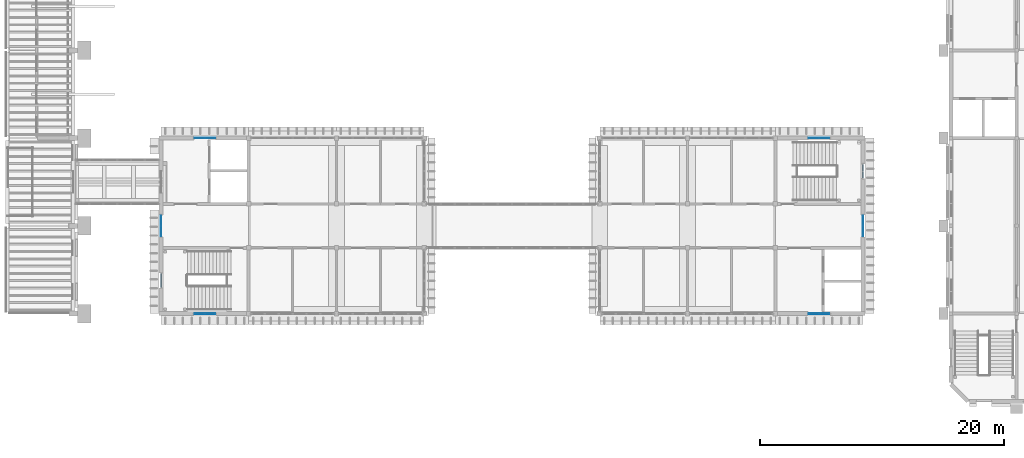
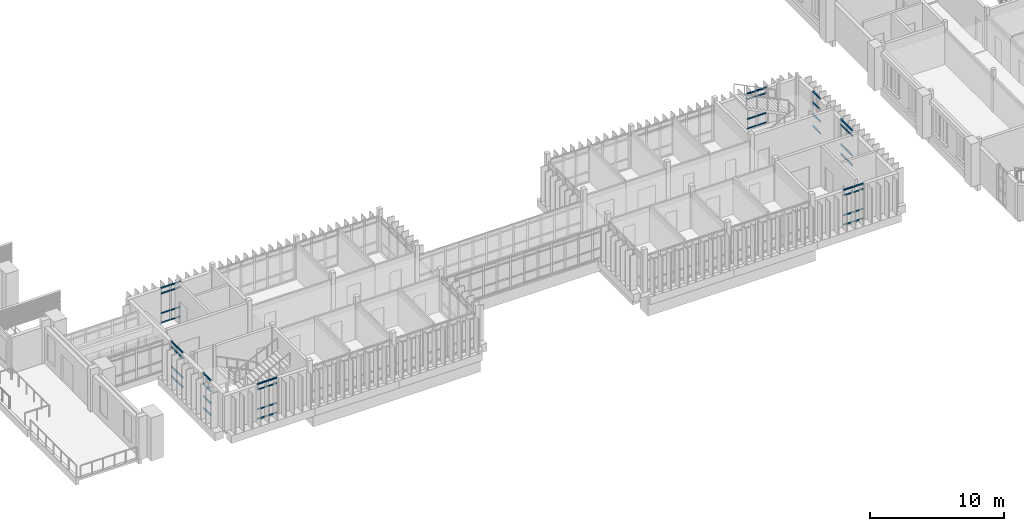
# One storey, part 24 of 69: 64 members, 8 elements without a shape of their own.
"""IFC4 building model written with IfcOpenShell, lengths in metres."""

from ifc_helpers import new_model, si_unit, direction, frame, origin, origin_2d, place, context, subcontext, project, spatial, rectangle, extrude, material, layer, layer_set, material_profile, profile_set, type_object, element, aggregate, save


model = new_model("IFC4")

# Units and contexts
model_context = context("Model", 3, precision=1e-05, world=origin(), true_north=direction((0.0, 1.0)))
body_context = subcontext(model_context, "Body", "Model", "MODEL_VIEW")
ifc_project = project(units=[si_unit("LENGTHUNIT", "METRE"), si_unit("AREAUNIT", "SQUARE_METRE"), si_unit("VOLUMEUNIT", "CUBIC_METRE"), si_unit("PLANEANGLEUNIT", "RADIAN"), si_unit("MASSUNIT", "GRAM", prefix="KILO")], contexts=[model_context])

# Site, building, storey
site_placement = place(None, origin())
site = spatial("IfcSite", under=ifc_project, at=site_placement, CompositionType="ELEMENT")
building_placement = place(site_placement, origin())
building = spatial("IfcBuilding", under=site, at=building_placement, Name="Mazhai Court Health Centre", CompositionType="ELEMENT")
storey_placement = place(building_placement, frame((0.0, 0.0, 6.300048828125)))
storey = spatial("IfcBuildingStorey", under=building, at=storey_placement, Name="L01", CompositionType="ELEMENT", Elevation=6.300048828125)

# Curtain wall, members
ifc_material_1 = material(Name="Teak timber frame, glazed", Category="wood")
ifc_layer_1 = layer(ifc_material_1, 0.10009765625)
ifc_layer_set_1 = layer_set([ifc_layer_1], Name="CURTAIN WALL TIMBER 900")
curtain_wall_type_1 = type_object("IfcCurtainWallType", Name="CURTAIN WALL TIMBER 900", PredefinedType="NOTDEFINED", material=ifc_layer_set_1)
curtain_wall_1_placement = place(storey_placement, origin())
curtain_wall_1 = element("IfcCurtainWall", 1, at=curtain_wall_1_placement, inside=storey, type_object=curtain_wall_type_1, Name="CW-V4-L01-A0", PredefinedType="NOTDEFINED")
ifc_material_2 = material(Name="Teak timber", Category="wood")
ifc_material_profile = material_profile(ifc_material_2, rectangle(XDim=0.06005859375, YDim=0.1201171875, at=origin_2d()), Name="CW TRANSOM 60x120")
ifc_profile_set = profile_set([ifc_material_profile], Name="Teak timber")
member_type = type_object("IfcMemberType", Name="CW TRANSOM 60x120", PredefinedType="USERDEFINED", material=ifc_profile_set)
member_1_placement = place(storey_placement, frame((75.43994140625, 13.39990234375, 0.030029296875), z_axis=(-1.0, 0.0, 0.0), x_axis=(0.0, -1.0, 0.0)))
member_1 = element("IfcMember", 2, at=member_1_placement, type_object=member_type, Name="CW transom 1.1", ObjectType="TRANSOM", PredefinedType="USERDEFINED", context=body_context, shape_type="SweptSolid", body=[
    extrude(rectangle(XDim=0.06005859375, YDim=0.1201171875, at=origin_2d()), origin(), (0.0, 0.0, 1.0), 0.81005859375),
])
member_2_placement = place(storey_placement, frame((75.43994140625, 13.39990234375, 0.89990234375), z_axis=(-1.0, 0.0, 0.0), x_axis=(0.0, -1.0, 0.0)))
member_2 = element("IfcMember", 3, at=member_2_placement, type_object=member_type, Name="CW transom 1.2", ObjectType="TRANSOM", PredefinedType="USERDEFINED", context=body_context, shape_type="SweptSolid", body=[
    extrude(rectangle(XDim=0.06005859375, YDim=0.1201171875, at=origin_2d()), origin(), (0.0, 0.0, 1.0), 0.81005859375),
])
member_3_placement = place(storey_placement, frame((75.43994140625, 13.39990234375, 2.699951171875), z_axis=(-1.0, 0.0, 0.0), x_axis=(0.0, -1.0, 0.0)))
member_3 = element("IfcMember", 4, at=member_3_placement, type_object=member_type, Name="CW transom 1.3", ObjectType="TRANSOM", PredefinedType="USERDEFINED", context=body_context, shape_type="SweptSolid", body=[
    extrude(rectangle(XDim=0.06005859375, YDim=0.1201171875, at=origin_2d()), origin(), (0.0, 0.0, 1.0), 0.81005859375),
])
member_4_placement = place(storey_placement, frame((75.43994140625, 13.39990234375, 3.18994140625), z_axis=(-1.0, 0.0, 0.0), x_axis=(0.0, -1.0, 0.0)))
member_4 = element("IfcMember", 5, at=member_4_placement, type_object=member_type, Name="CW transom 1.4", ObjectType="TRANSOM", PredefinedType="USERDEFINED", context=body_context, shape_type="SweptSolid", body=[
    extrude(rectangle(XDim=0.06005859375, YDim=0.1201171875, at=origin_2d()), origin(), (0.0, 0.0, 1.0), 0.81005859375),
])
member_5_placement = place(storey_placement, frame((74.570068359375, 13.39990234375, 0.030029296875), z_axis=(-1.0, 0.0, 0.0), x_axis=(0.0, -1.0, 0.0)))
member_5 = element("IfcMember", 6, at=member_5_placement, type_object=member_type, Name="CW transom 2.1", ObjectType="TRANSOM", PredefinedType="USERDEFINED", context=body_context, shape_type="SweptSolid", body=[
    extrude(rectangle(XDim=0.06005859375, YDim=0.1201171875, at=origin_2d()), origin(), (0.0, 0.0, 1.0), 0.81005859375),
])
member_6_placement = place(storey_placement, frame((74.570068359375, 13.39990234375, 0.89990234375), z_axis=(-1.0, 0.0, 0.0), x_axis=(0.0, -1.0, 0.0)))
member_6 = element("IfcMember", 7, at=member_6_placement, type_object=member_type, Name="CW transom 2.2", ObjectType="TRANSOM", PredefinedType="USERDEFINED", context=body_context, shape_type="SweptSolid", body=[
    extrude(rectangle(XDim=0.06005859375, YDim=0.1201171875, at=origin_2d()), origin(), (0.0, 0.0, 1.0), 0.81005859375),
])
member_7_placement = place(storey_placement, frame((74.570068359375, 13.39990234375, 2.699951171875), z_axis=(-1.0, 0.0, 0.0), x_axis=(0.0, -1.0, 0.0)))
member_7 = element("IfcMember", 8, at=member_7_placement, type_object=member_type, Name="CW transom 2.3", ObjectType="TRANSOM", PredefinedType="USERDEFINED", context=body_context, shape_type="SweptSolid", body=[
    extrude(rectangle(XDim=0.06005859375, YDim=0.1201171875, at=origin_2d()), origin(), (0.0, 0.0, 1.0), 0.81005859375),
])
member_8_placement = place(storey_placement, frame((74.570068359375, 13.39990234375, 3.18994140625), z_axis=(-1.0, 0.0, 0.0), x_axis=(0.0, -1.0, 0.0)))
member_8 = element("IfcMember", 9, at=member_8_placement, type_object=member_type, Name="CW transom 2.4", ObjectType="TRANSOM", PredefinedType="USERDEFINED", context=body_context, shape_type="SweptSolid", body=[
    extrude(rectangle(XDim=0.06005859375, YDim=0.1201171875, at=origin_2d()), origin(), (0.0, 0.0, 1.0), 0.81005859375),
])
aggregate(curtain_wall_1, [member_1, member_2, member_3, member_4, member_5, member_6, member_7, member_8])

curtain_wall_2_placement = place(storey_placement, origin())
curtain_wall_2 = element("IfcCurtainWall", 10, at=curtain_wall_2_placement, inside=storey, type_object=curtain_wall_type_1, Name="CW-V4-L01-A7", PredefinedType="NOTDEFINED")
member_9_placement = place(storey_placement, frame((125.840087890625, 13.39990234375, 0.030029296875), z_axis=(-1.0, 0.0, 0.0), x_axis=(0.0, -1.0, 0.0)))
member_9 = element("IfcMember", 11, at=member_9_placement, type_object=member_type, Name="CW transom 1.1", ObjectType="TRANSOM", PredefinedType="USERDEFINED", context=body_context, shape_type="SweptSolid", body=[
    extrude(rectangle(XDim=0.06005859375, YDim=0.1201171875, at=origin_2d()), origin(), (0.0, 0.0, 1.0), 0.81005859375),
])
member_10_placement = place(storey_placement, frame((125.840087890625, 13.39990234375, 0.89990234375), z_axis=(-1.0, 0.0, 0.0), x_axis=(0.0, -1.0, 0.0)))
member_10 = element("IfcMember", 12, at=member_10_placement, type_object=member_type, Name="CW transom 1.2", ObjectType="TRANSOM", PredefinedType="USERDEFINED", context=body_context, shape_type="SweptSolid", body=[
    extrude(rectangle(XDim=0.06005859375, YDim=0.1201171875, at=origin_2d()), origin(), (0.0, 0.0, 1.0), 0.81005859375),
])
member_11_placement = place(storey_placement, frame((125.840087890625, 13.39990234375, 2.699951171875), z_axis=(-1.0, 0.0, 0.0), x_axis=(0.0, -1.0, 0.0)))
member_11 = element("IfcMember", 13, at=member_11_placement, type_object=member_type, Name="CW transom 1.3", ObjectType="TRANSOM", PredefinedType="USERDEFINED", context=body_context, shape_type="SweptSolid", body=[
    extrude(rectangle(XDim=0.06005859375, YDim=0.1201171875, at=origin_2d()), origin(), (0.0, 0.0, 1.0), 0.81005859375),
])
member_12_placement = place(storey_placement, frame((125.840087890625, 13.39990234375, 3.18994140625), z_axis=(-1.0, 0.0, 0.0), x_axis=(0.0, -1.0, 0.0)))
member_12 = element("IfcMember", 14, at=member_12_placement, type_object=member_type, Name="CW transom 1.4", ObjectType="TRANSOM", PredefinedType="USERDEFINED", context=body_context, shape_type="SweptSolid", body=[
    extrude(rectangle(XDim=0.06005859375, YDim=0.1201171875, at=origin_2d()), origin(), (0.0, 0.0, 1.0), 0.81005859375),
])
member_13_placement = place(storey_placement, frame((124.969970703125, 13.39990234375, 0.030029296875), z_axis=(-1.0, 0.0, 0.0), x_axis=(0.0, -1.0, 0.0)))
member_13 = element("IfcMember", 15, at=member_13_placement, type_object=member_type, Name="CW transom 2.1", ObjectType="TRANSOM", PredefinedType="USERDEFINED", context=body_context, shape_type="SweptSolid", body=[
    extrude(rectangle(XDim=0.06005859375, YDim=0.1201171875, at=origin_2d()), origin(), (0.0, 0.0, 1.0), 0.81005859375),
])
member_14_placement = place(storey_placement, frame((124.969970703125, 13.39990234375, 0.89990234375), z_axis=(-1.0, 0.0, 0.0), x_axis=(0.0, -1.0, 0.0)))
member_14 = element("IfcMember", 16, at=member_14_placement, type_object=member_type, Name="CW transom 2.2", ObjectType="TRANSOM", PredefinedType="USERDEFINED", context=body_context, shape_type="SweptSolid", body=[
    extrude(rectangle(XDim=0.06005859375, YDim=0.1201171875, at=origin_2d()), origin(), (0.0, 0.0, 1.0), 0.81005859375),
])
member_15_placement = place(storey_placement, frame((124.969970703125, 13.39990234375, 2.699951171875), z_axis=(-1.0, 0.0, 0.0), x_axis=(0.0, -1.0, 0.0)))
member_15 = element("IfcMember", 17, at=member_15_placement, type_object=member_type, Name="CW transom 2.3", ObjectType="TRANSOM", PredefinedType="USERDEFINED", context=body_context, shape_type="SweptSolid", body=[
    extrude(rectangle(XDim=0.06005859375, YDim=0.1201171875, at=origin_2d()), origin(), (0.0, 0.0, 1.0), 0.81005859375),
])
member_16_placement = place(storey_placement, frame((124.969970703125, 13.39990234375, 3.18994140625), z_axis=(-1.0, 0.0, 0.0), x_axis=(0.0, -1.0, 0.0)))
member_16 = element("IfcMember", 18, at=member_16_placement, type_object=member_type, Name="CW transom 2.4", ObjectType="TRANSOM", PredefinedType="USERDEFINED", context=body_context, shape_type="SweptSolid", body=[
    extrude(rectangle(XDim=0.06005859375, YDim=0.1201171875, at=origin_2d()), origin(), (0.0, 0.0, 1.0), 0.81005859375),
])
aggregate(curtain_wall_2, [member_9, member_10, member_11, member_12, member_13, member_14, member_15, member_16])

curtain_wall_3_placement = place(storey_placement, origin())
curtain_wall_3 = element("IfcCurtainWall", 19, at=curtain_wall_3_placement, inside=storey, type_object=curtain_wall_type_1, Name="CW-V4-L01-B0", PredefinedType="NOTDEFINED")
member_17_placement = place(storey_placement, frame((73.760009765625, 27.800048828125, 0.030029296875), z_axis=(1.0, 0.0, 0.0), x_axis=(0.0, 1.0, 0.0)))
member_17 = element("IfcMember", 20, at=member_17_placement, type_object=member_type, Name="CW transom 1.1", ObjectType="TRANSOM", PredefinedType="USERDEFINED", context=body_context, shape_type="SweptSolid", body=[
    extrude(rectangle(XDim=0.06005859375, YDim=0.1201171875, at=origin_2d()), origin(), (0.0, 0.0, 1.0), 0.81005859375),
])
member_18_placement = place(storey_placement, frame((73.760009765625, 27.800048828125, 0.89990234375), z_axis=(1.0, 0.0, 0.0), x_axis=(0.0, 1.0, 0.0)))
member_18 = element("IfcMember", 21, at=member_18_placement, type_object=member_type, Name="CW transom 1.2", ObjectType="TRANSOM", PredefinedType="USERDEFINED", context=body_context, shape_type="SweptSolid", body=[
    extrude(rectangle(XDim=0.06005859375, YDim=0.1201171875, at=origin_2d()), origin(), (0.0, 0.0, 1.0), 0.81005859375),
])
member_19_placement = place(storey_placement, frame((73.760009765625, 27.800048828125, 2.699951171875), z_axis=(1.0, 0.0, 0.0), x_axis=(0.0, 1.0, 0.0)))
member_19 = element("IfcMember", 22, at=member_19_placement, type_object=member_type, Name="CW transom 1.3", ObjectType="TRANSOM", PredefinedType="USERDEFINED", context=body_context, shape_type="SweptSolid", body=[
    extrude(rectangle(XDim=0.06005859375, YDim=0.1201171875, at=origin_2d()), origin(), (0.0, 0.0, 1.0), 0.81005859375),
])
member_20_placement = place(storey_placement, frame((73.760009765625, 27.800048828125, 3.18994140625), z_axis=(1.0, 0.0, 0.0), x_axis=(0.0, 1.0, 0.0)))
member_20 = element("IfcMember", 23, at=member_20_placement, type_object=member_type, Name="CW transom 1.4", ObjectType="TRANSOM", PredefinedType="USERDEFINED", context=body_context, shape_type="SweptSolid", body=[
    extrude(rectangle(XDim=0.06005859375, YDim=0.1201171875, at=origin_2d()), origin(), (0.0, 0.0, 1.0), 0.81005859375),
])
member_21_placement = place(storey_placement, frame((74.6298828125, 27.800048828125, 0.030029296875), z_axis=(1.0, 0.0, 0.0), x_axis=(0.0, 1.0, 0.0)))
member_21 = element("IfcMember", 24, at=member_21_placement, type_object=member_type, Name="CW transom 2.1", ObjectType="TRANSOM", PredefinedType="USERDEFINED", context=body_context, shape_type="SweptSolid", body=[
    extrude(rectangle(XDim=0.06005859375, YDim=0.1201171875, at=origin_2d()), origin(), (0.0, 0.0, 1.0), 0.81005859375),
])
member_22_placement = place(storey_placement, frame((74.6298828125, 27.800048828125, 0.89990234375), z_axis=(1.0, 0.0, 0.0), x_axis=(0.0, 1.0, 0.0)))
member_22 = element("IfcMember", 25, at=member_22_placement, type_object=member_type, Name="CW transom 2.2", ObjectType="TRANSOM", PredefinedType="USERDEFINED", context=body_context, shape_type="SweptSolid", body=[
    extrude(rectangle(XDim=0.06005859375, YDim=0.1201171875, at=origin_2d()), origin(), (0.0, 0.0, 1.0), 0.81005859375),
])
member_23_placement = place(storey_placement, frame((74.6298828125, 27.800048828125, 2.699951171875), z_axis=(1.0, 0.0, 0.0), x_axis=(0.0, 1.0, 0.0)))
member_23 = element("IfcMember", 26, at=member_23_placement, type_object=member_type, Name="CW transom 2.3", ObjectType="TRANSOM", PredefinedType="USERDEFINED", context=body_context, shape_type="SweptSolid", body=[
    extrude(rectangle(XDim=0.06005859375, YDim=0.1201171875, at=origin_2d()), origin(), (0.0, 0.0, 1.0), 0.81005859375),
])
member_24_placement = place(storey_placement, frame((74.6298828125, 27.800048828125, 3.18994140625), z_axis=(1.0, 0.0, 0.0), x_axis=(0.0, 1.0, 0.0)))
member_24 = element("IfcMember", 27, at=member_24_placement, type_object=member_type, Name="CW transom 2.4", ObjectType="TRANSOM", PredefinedType="USERDEFINED", context=body_context, shape_type="SweptSolid", body=[
    extrude(rectangle(XDim=0.06005859375, YDim=0.1201171875, at=origin_2d()), origin(), (0.0, 0.0, 1.0), 0.81005859375),
])
aggregate(curtain_wall_3, [member_17, member_18, member_19, member_20, member_21, member_22, member_23, member_24])

curtain_wall_4_placement = place(storey_placement, origin())
curtain_wall_4 = element("IfcCurtainWall", 28, at=curtain_wall_4_placement, inside=storey, type_object=curtain_wall_type_1, Name="CW-V4-L01-B7", PredefinedType="NOTDEFINED")
member_25_placement = place(storey_placement, frame((124.159912109375, 27.800048828125, 0.030029296875), z_axis=(1.0, 0.0, 0.0), x_axis=(0.0, 1.0, 0.0)))
member_25 = element("IfcMember", 29, at=member_25_placement, type_object=member_type, Name="CW transom 1.1", ObjectType="TRANSOM", PredefinedType="USERDEFINED", context=body_context, shape_type="SweptSolid", body=[
    extrude(rectangle(XDim=0.06005859375, YDim=0.1201171875, at=origin_2d()), origin(), (0.0, 0.0, 1.0), 0.81005859375),
])
member_26_placement = place(storey_placement, frame((124.159912109375, 27.800048828125, 0.89990234375), z_axis=(1.0, 0.0, 0.0), x_axis=(0.0, 1.0, 0.0)))
member_26 = element("IfcMember", 30, at=member_26_placement, type_object=member_type, Name="CW transom 1.2", ObjectType="TRANSOM", PredefinedType="USERDEFINED", context=body_context, shape_type="SweptSolid", body=[
    extrude(rectangle(XDim=0.06005859375, YDim=0.1201171875, at=origin_2d()), origin(), (0.0, 0.0, 1.0), 0.81005859375),
])
member_27_placement = place(storey_placement, frame((124.159912109375, 27.800048828125, 2.699951171875), z_axis=(1.0, 0.0, 0.0), x_axis=(0.0, 1.0, 0.0)))
member_27 = element("IfcMember", 31, at=member_27_placement, type_object=member_type, Name="CW transom 1.3", ObjectType="TRANSOM", PredefinedType="USERDEFINED", context=body_context, shape_type="SweptSolid", body=[
    extrude(rectangle(XDim=0.06005859375, YDim=0.1201171875, at=origin_2d()), origin(), (0.0, 0.0, 1.0), 0.81005859375),
])
member_28_placement = place(storey_placement, frame((124.159912109375, 27.800048828125, 3.18994140625), z_axis=(1.0, 0.0, 0.0), x_axis=(0.0, 1.0, 0.0)))
member_28 = element("IfcMember", 32, at=member_28_placement, type_object=member_type, Name="CW transom 1.4", ObjectType="TRANSOM", PredefinedType="USERDEFINED", context=body_context, shape_type="SweptSolid", body=[
    extrude(rectangle(XDim=0.06005859375, YDim=0.1201171875, at=origin_2d()), origin(), (0.0, 0.0, 1.0), 0.81005859375),
])
member_29_placement = place(storey_placement, frame((125.030029296875, 27.800048828125, 0.030029296875), z_axis=(1.0, 0.0, 0.0), x_axis=(0.0, 1.0, 0.0)))
member_29 = element("IfcMember", 33, at=member_29_placement, type_object=member_type, Name="CW transom 2.1", ObjectType="TRANSOM", PredefinedType="USERDEFINED", context=body_context, shape_type="SweptSolid", body=[
    extrude(rectangle(XDim=0.06005859375, YDim=0.1201171875, at=origin_2d()), origin(), (0.0, 0.0, 1.0), 0.81005859375),
])
member_30_placement = place(storey_placement, frame((125.030029296875, 27.800048828125, 0.89990234375), z_axis=(1.0, 0.0, 0.0), x_axis=(0.0, 1.0, 0.0)))
member_30 = element("IfcMember", 34, at=member_30_placement, type_object=member_type, Name="CW transom 2.2", ObjectType="TRANSOM", PredefinedType="USERDEFINED", context=body_context, shape_type="SweptSolid", body=[
    extrude(rectangle(XDim=0.06005859375, YDim=0.1201171875, at=origin_2d()), origin(), (0.0, 0.0, 1.0), 0.81005859375),
])
member_31_placement = place(storey_placement, frame((125.030029296875, 27.800048828125, 2.699951171875), z_axis=(1.0, 0.0, 0.0), x_axis=(0.0, 1.0, 0.0)))
member_31 = element("IfcMember", 35, at=member_31_placement, type_object=member_type, Name="CW transom 2.3", ObjectType="TRANSOM", PredefinedType="USERDEFINED", context=body_context, shape_type="SweptSolid", body=[
    extrude(rectangle(XDim=0.06005859375, YDim=0.1201171875, at=origin_2d()), origin(), (0.0, 0.0, 1.0), 0.81005859375),
])
member_32_placement = place(storey_placement, frame((125.030029296875, 27.800048828125, 3.18994140625), z_axis=(1.0, 0.0, 0.0), x_axis=(0.0, 1.0, 0.0)))
member_32 = element("IfcMember", 36, at=member_32_placement, type_object=member_type, Name="CW transom 2.4", ObjectType="TRANSOM", PredefinedType="USERDEFINED", context=body_context, shape_type="SweptSolid", body=[
    extrude(rectangle(XDim=0.06005859375, YDim=0.1201171875, at=origin_2d()), origin(), (0.0, 0.0, 1.0), 0.81005859375),
])
aggregate(curtain_wall_4, [member_25, member_26, member_27, member_28, member_29, member_30, member_31, member_32])

ifc_material_3 = material(Name="Teak timber frame, glazed", Category="wood")
ifc_layer_2 = layer(ifc_material_3, 0.10009765625)
ifc_layer_set_2 = layer_set([ifc_layer_2], Name="CURTAIN WALL TIMBER 600")
curtain_wall_type_2 = type_object("IfcCurtainWallType", Name="CURTAIN WALL TIMBER 600", PredefinedType="NOTDEFINED", material=ifc_layer_set_2)
curtain_wall_5_placement = place(storey_placement, origin())
curtain_wall_5 = element("IfcCurtainWall", 37, at=curtain_wall_5_placement, inside=storey, type_object=curtain_wall_type_2, Name="CW-V4-L01-SSTAIR0", PredefinedType="NOTDEFINED")
member_33_placement = place(storey_placement, frame((71.0, 15.580078125, 0.030029296875), z_axis=(0.0, 1.0, 0.0), x_axis=(-1.0, 0.0, 0.0)))
member_33 = element("IfcMember", 38, at=member_33_placement, type_object=member_type, Name="CW transom 1.1", ObjectType="TRANSOM", PredefinedType="USERDEFINED", context=body_context, shape_type="SweptSolid", body=[
    extrude(rectangle(XDim=0.06005859375, YDim=0.1201171875, at=origin_2d()), origin(), (0.0, 0.0, 1.0), 0.510009765625),
])
member_34_placement = place(storey_placement, frame((71.0, 15.580078125, 1.099853515625), z_axis=(0.0, 1.0, 0.0), x_axis=(-1.0, 0.0, 0.0)))
member_34 = element("IfcMember", 39, at=member_34_placement, type_object=member_type, Name="CW transom 1.2", ObjectType="TRANSOM", PredefinedType="USERDEFINED", context=body_context, shape_type="SweptSolid", body=[
    extrude(rectangle(XDim=0.06005859375, YDim=0.1201171875, at=origin_2d()), origin(), (0.0, 0.0, 1.0), 0.510009765625),
])
member_35_placement = place(storey_placement, frame((71.0, 15.580078125, 2.199951171875), z_axis=(0.0, 1.0, 0.0), x_axis=(-1.0, 0.0, 0.0)))
member_35 = element("IfcMember", 40, at=member_35_placement, type_object=member_type, Name="CW transom 1.3", ObjectType="TRANSOM", PredefinedType="USERDEFINED", context=body_context, shape_type="SweptSolid", body=[
    extrude(rectangle(XDim=0.06005859375, YDim=0.1201171875, at=origin_2d()), origin(), (0.0, 0.0, 1.0), 0.510009765625),
])
member_36_placement = place(storey_placement, frame((71.0, 15.580078125, 3.169921875), z_axis=(0.0, 1.0, 0.0), x_axis=(-1.0, 0.0, 0.0)))
member_36 = element("IfcMember", 41, at=member_36_placement, type_object=member_type, Name="CW transom 1.4", ObjectType="TRANSOM", PredefinedType="USERDEFINED", context=body_context, shape_type="SweptSolid", body=[
    extrude(rectangle(XDim=0.06005859375, YDim=0.1201171875, at=origin_2d()), origin(), (0.0, 0.0, 1.0), 0.510009765625),
])
member_37_placement = place(storey_placement, frame((71.0, 16.14990234375, 0.030029296875), z_axis=(0.0, 1.0, 0.0), x_axis=(-1.0, 0.0, 0.0)))
member_37 = element("IfcMember", 42, at=member_37_placement, type_object=member_type, Name="CW transom 2.1", ObjectType="TRANSOM", PredefinedType="USERDEFINED", context=body_context, shape_type="SweptSolid", body=[
    extrude(rectangle(XDim=0.06005859375, YDim=0.1201171875, at=origin_2d()), origin(), (0.0, 0.0, 1.0), 0.510009765625),
])
member_38_placement = place(storey_placement, frame((71.0, 16.14990234375, 1.099853515625), z_axis=(0.0, 1.0, 0.0), x_axis=(-1.0, 0.0, 0.0)))
member_38 = element("IfcMember", 43, at=member_38_placement, type_object=member_type, Name="CW transom 2.2", ObjectType="TRANSOM", PredefinedType="USERDEFINED", context=body_context, shape_type="SweptSolid", body=[
    extrude(rectangle(XDim=0.06005859375, YDim=0.1201171875, at=origin_2d()), origin(), (0.0, 0.0, 1.0), 0.510009765625),
])
member_39_placement = place(storey_placement, frame((71.0, 16.14990234375, 2.199951171875), z_axis=(0.0, 1.0, 0.0), x_axis=(-1.0, 0.0, 0.0)))
member_39 = element("IfcMember", 44, at=member_39_placement, type_object=member_type, Name="CW transom 2.3", ObjectType="TRANSOM", PredefinedType="USERDEFINED", context=body_context, shape_type="SweptSolid", body=[
    extrude(rectangle(XDim=0.06005859375, YDim=0.1201171875, at=origin_2d()), origin(), (0.0, 0.0, 1.0), 0.510009765625),
])
member_40_placement = place(storey_placement, frame((71.0, 16.14990234375, 3.169921875), z_axis=(0.0, 1.0, 0.0), x_axis=(-1.0, 0.0, 0.0)))
member_40 = element("IfcMember", 45, at=member_40_placement, type_object=member_type, Name="CW transom 2.4", ObjectType="TRANSOM", PredefinedType="USERDEFINED", context=body_context, shape_type="SweptSolid", body=[
    extrude(rectangle(XDim=0.06005859375, YDim=0.1201171875, at=origin_2d()), origin(), (0.0, 0.0, 1.0), 0.510009765625),
])
aggregate(curtain_wall_5, [member_33, member_34, member_35, member_36, member_37, member_38, member_39, member_40])

curtain_wall_6_placement = place(storey_placement, origin())
curtain_wall_6 = element("IfcCurtainWall", 46, at=curtain_wall_6_placement, inside=storey, type_object=curtain_wall_type_1, Name="CW-V4-L01-SLIFT1", PredefinedType="NOTDEFINED")
member_41_placement = place(storey_placement, frame((71.0, 19.760009765625, 0.030029296875), z_axis=(0.0, 1.0, 0.0), x_axis=(-1.0, 0.0, 0.0)))
member_41 = element("IfcMember", 47, at=member_41_placement, type_object=member_type, Name="CW transom 1.1", ObjectType="TRANSOM", PredefinedType="USERDEFINED", context=body_context, shape_type="SweptSolid", body=[
    extrude(rectangle(XDim=0.06005859375, YDim=0.1201171875, at=origin_2d()), origin(), (0.0, 0.0, 1.0), 0.81005859375),
])
member_42_placement = place(storey_placement, frame((71.0, 19.760009765625, 0.89990234375), z_axis=(0.0, 1.0, 0.0), x_axis=(-1.0, 0.0, 0.0)))
member_42 = element("IfcMember", 48, at=member_42_placement, type_object=member_type, Name="CW transom 1.2", ObjectType="TRANSOM", PredefinedType="USERDEFINED", context=body_context, shape_type="SweptSolid", body=[
    extrude(rectangle(XDim=0.06005859375, YDim=0.1201171875, at=origin_2d()), origin(), (0.0, 0.0, 1.0), 0.81005859375),
])
member_43_placement = place(storey_placement, frame((71.0, 19.760009765625, 2.699951171875), z_axis=(0.0, 1.0, 0.0), x_axis=(-1.0, 0.0, 0.0)))
member_43 = element("IfcMember", 49, at=member_43_placement, type_object=member_type, Name="CW transom 1.3", ObjectType="TRANSOM", PredefinedType="USERDEFINED", context=body_context, shape_type="SweptSolid", body=[
    extrude(rectangle(XDim=0.06005859375, YDim=0.1201171875, at=origin_2d()), origin(), (0.0, 0.0, 1.0), 0.81005859375),
])
member_44_placement = place(storey_placement, frame((71.0, 19.760009765625, 3.169921875), z_axis=(0.0, 1.0, 0.0), x_axis=(-1.0, 0.0, 0.0)))
member_44 = element("IfcMember", 50, at=member_44_placement, type_object=member_type, Name="CW transom 1.4", ObjectType="TRANSOM", PredefinedType="USERDEFINED", context=body_context, shape_type="SweptSolid", body=[
    extrude(rectangle(XDim=0.06005859375, YDim=0.1201171875, at=origin_2d()), origin(), (0.0, 0.0, 1.0), 0.81005859375),
])
member_45_placement = place(storey_placement, frame((71.0, 20.6298828125, 0.030029296875), z_axis=(0.0, 1.0, 0.0), x_axis=(-1.0, 0.0, 0.0)))
member_45 = element("IfcMember", 51, at=member_45_placement, type_object=member_type, Name="CW transom 2.1", ObjectType="TRANSOM", PredefinedType="USERDEFINED", context=body_context, shape_type="SweptSolid", body=[
    extrude(rectangle(XDim=0.06005859375, YDim=0.1201171875, at=origin_2d()), origin(), (0.0, 0.0, 1.0), 0.81005859375),
])
member_46_placement = place(storey_placement, frame((71.0, 20.6298828125, 0.89990234375), z_axis=(0.0, 1.0, 0.0), x_axis=(-1.0, 0.0, 0.0)))
member_46 = element("IfcMember", 52, at=member_46_placement, type_object=member_type, Name="CW transom 2.2", ObjectType="TRANSOM", PredefinedType="USERDEFINED", context=body_context, shape_type="SweptSolid", body=[
    extrude(rectangle(XDim=0.06005859375, YDim=0.1201171875, at=origin_2d()), origin(), (0.0, 0.0, 1.0), 0.81005859375),
])
member_47_placement = place(storey_placement, frame((71.0, 20.6298828125, 2.699951171875), z_axis=(0.0, 1.0, 0.0), x_axis=(-1.0, 0.0, 0.0)))
member_47 = element("IfcMember", 53, at=member_47_placement, type_object=member_type, Name="CW transom 2.3", ObjectType="TRANSOM", PredefinedType="USERDEFINED", context=body_context, shape_type="SweptSolid", body=[
    extrude(rectangle(XDim=0.06005859375, YDim=0.1201171875, at=origin_2d()), origin(), (0.0, 0.0, 1.0), 0.81005859375),
])
member_48_placement = place(storey_placement, frame((71.0, 20.6298828125, 3.169921875), z_axis=(0.0, 1.0, 0.0), x_axis=(-1.0, 0.0, 0.0)))
member_48 = element("IfcMember", 54, at=member_48_placement, type_object=member_type, Name="CW transom 2.4", ObjectType="TRANSOM", PredefinedType="USERDEFINED", context=body_context, shape_type="SweptSolid", body=[
    extrude(rectangle(XDim=0.06005859375, YDim=0.1201171875, at=origin_2d()), origin(), (0.0, 0.0, 1.0), 0.81005859375),
])
aggregate(curtain_wall_6, [member_41, member_42, member_43, member_44, member_45, member_46, member_47, member_48])

curtain_wall_7_placement = place(storey_placement, origin())
curtain_wall_7 = element("IfcCurtainWall", 55, at=curtain_wall_7_placement, inside=storey, type_object=curtain_wall_type_1, Name="CW-V4-L01-ELIFT0", PredefinedType="NOTDEFINED")
member_49_placement = place(storey_placement, frame((128.60009765625, 21.43994140625, 0.030029296875), z_axis=(0.0, -1.0, 0.0), x_axis=(1.0, 0.0, 0.0)))
member_49 = element("IfcMember", 56, at=member_49_placement, type_object=member_type, Name="CW transom 1.1", ObjectType="TRANSOM", PredefinedType="USERDEFINED", context=body_context, shape_type="SweptSolid", body=[
    extrude(rectangle(XDim=0.06005859375, YDim=0.1201171875, at=origin_2d()), origin(), (0.0, 0.0, 1.0), 0.81005859375),
])
member_50_placement = place(storey_placement, frame((128.60009765625, 21.43994140625, 0.89990234375), z_axis=(0.0, -1.0, 0.0), x_axis=(1.0, 0.0, 0.0)))
member_50 = element("IfcMember", 57, at=member_50_placement, type_object=member_type, Name="CW transom 1.2", ObjectType="TRANSOM", PredefinedType="USERDEFINED", context=body_context, shape_type="SweptSolid", body=[
    extrude(rectangle(XDim=0.06005859375, YDim=0.1201171875, at=origin_2d()), origin(), (0.0, 0.0, 1.0), 0.81005859375),
])
member_51_placement = place(storey_placement, frame((128.60009765625, 21.43994140625, 2.699951171875), z_axis=(0.0, -1.0, 0.0), x_axis=(1.0, 0.0, 0.0)))
member_51 = element("IfcMember", 58, at=member_51_placement, type_object=member_type, Name="CW transom 1.3", ObjectType="TRANSOM", PredefinedType="USERDEFINED", context=body_context, shape_type="SweptSolid", body=[
    extrude(rectangle(XDim=0.06005859375, YDim=0.1201171875, at=origin_2d()), origin(), (0.0, 0.0, 1.0), 0.81005859375),
])
member_52_placement = place(storey_placement, frame((128.60009765625, 21.43994140625, 3.169921875), z_axis=(0.0, -1.0, 0.0), x_axis=(1.0, 0.0, 0.0)))
member_52 = element("IfcMember", 59, at=member_52_placement, type_object=member_type, Name="CW transom 1.4", ObjectType="TRANSOM", PredefinedType="USERDEFINED", context=body_context, shape_type="SweptSolid", body=[
    extrude(rectangle(XDim=0.06005859375, YDim=0.1201171875, at=origin_2d()), origin(), (0.0, 0.0, 1.0), 0.81005859375),
])
member_53_placement = place(storey_placement, frame((128.60009765625, 20.570068359375, 0.030029296875), z_axis=(0.0, -1.0, 0.0), x_axis=(1.0, 0.0, 0.0)))
member_53 = element("IfcMember", 60, at=member_53_placement, type_object=member_type, Name="CW transom 2.1", ObjectType="TRANSOM", PredefinedType="USERDEFINED", context=body_context, shape_type="SweptSolid", body=[
    extrude(rectangle(XDim=0.06005859375, YDim=0.1201171875, at=origin_2d()), origin(), (0.0, 0.0, 1.0), 0.81005859375),
])
member_54_placement = place(storey_placement, frame((128.60009765625, 20.570068359375, 0.89990234375), z_axis=(0.0, -1.0, 0.0), x_axis=(1.0, 0.0, 0.0)))
member_54 = element("IfcMember", 61, at=member_54_placement, type_object=member_type, Name="CW transom 2.2", ObjectType="TRANSOM", PredefinedType="USERDEFINED", context=body_context, shape_type="SweptSolid", body=[
    extrude(rectangle(XDim=0.06005859375, YDim=0.1201171875, at=origin_2d()), origin(), (0.0, 0.0, 1.0), 0.81005859375),
])
member_55_placement = place(storey_placement, frame((128.60009765625, 20.570068359375, 2.699951171875), z_axis=(0.0, -1.0, 0.0), x_axis=(1.0, 0.0, 0.0)))
member_55 = element("IfcMember", 62, at=member_55_placement, type_object=member_type, Name="CW transom 2.3", ObjectType="TRANSOM", PredefinedType="USERDEFINED", context=body_context, shape_type="SweptSolid", body=[
    extrude(rectangle(XDim=0.06005859375, YDim=0.1201171875, at=origin_2d()), origin(), (0.0, 0.0, 1.0), 0.81005859375),
])
member_56_placement = place(storey_placement, frame((128.60009765625, 20.570068359375, 3.169921875), z_axis=(0.0, -1.0, 0.0), x_axis=(1.0, 0.0, 0.0)))
member_56 = element("IfcMember", 63, at=member_56_placement, type_object=member_type, Name="CW transom 2.4", ObjectType="TRANSOM", PredefinedType="USERDEFINED", context=body_context, shape_type="SweptSolid", body=[
    extrude(rectangle(XDim=0.06005859375, YDim=0.1201171875, at=origin_2d()), origin(), (0.0, 0.0, 1.0), 0.81005859375),
])
aggregate(curtain_wall_7, [member_49, member_50, member_51, member_52, member_53, member_54, member_55, member_56])

curtain_wall_8_placement = place(storey_placement, origin())
curtain_wall_8 = element("IfcCurtainWall", 64, at=curtain_wall_8_placement, inside=storey, type_object=curtain_wall_type_2, Name="CW-V4-L01-ESTAIR1", PredefinedType="NOTDEFINED")
member_57_placement = place(storey_placement, frame((128.60009765625, 25.6201171875, 0.030029296875), z_axis=(0.0, -1.0, 0.0), x_axis=(1.0, 0.0, 0.0)))
member_57 = element("IfcMember", 65, at=member_57_placement, type_object=member_type, Name="CW transom 1.1", ObjectType="TRANSOM", PredefinedType="USERDEFINED", context=body_context, shape_type="SweptSolid", body=[
    extrude(rectangle(XDim=0.06005859375, YDim=0.1201171875, at=origin_2d()), origin(), (0.0, 0.0, 1.0), 0.510009765625),
])
member_58_placement = place(storey_placement, frame((128.60009765625, 25.6201171875, 1.099853515625), z_axis=(0.0, -1.0, 0.0), x_axis=(1.0, 0.0, 0.0)))
member_58 = element("IfcMember", 66, at=member_58_placement, type_object=member_type, Name="CW transom 1.2", ObjectType="TRANSOM", PredefinedType="USERDEFINED", context=body_context, shape_type="SweptSolid", body=[
    extrude(rectangle(XDim=0.06005859375, YDim=0.1201171875, at=origin_2d()), origin(), (0.0, 0.0, 1.0), 0.510009765625),
])
member_59_placement = place(storey_placement, frame((128.60009765625, 25.6201171875, 2.199951171875), z_axis=(0.0, -1.0, 0.0), x_axis=(1.0, 0.0, 0.0)))
member_59 = element("IfcMember", 67, at=member_59_placement, type_object=member_type, Name="CW transom 1.3", ObjectType="TRANSOM", PredefinedType="USERDEFINED", context=body_context, shape_type="SweptSolid", body=[
    extrude(rectangle(XDim=0.06005859375, YDim=0.1201171875, at=origin_2d()), origin(), (0.0, 0.0, 1.0), 0.510009765625),
])
member_60_placement = place(storey_placement, frame((128.60009765625, 25.6201171875, 3.169921875), z_axis=(0.0, -1.0, 0.0), x_axis=(1.0, 0.0, 0.0)))
member_60 = element("IfcMember", 68, at=member_60_placement, type_object=member_type, Name="CW transom 1.4", ObjectType="TRANSOM", PredefinedType="USERDEFINED", context=body_context, shape_type="SweptSolid", body=[
    extrude(rectangle(XDim=0.06005859375, YDim=0.1201171875, at=origin_2d()), origin(), (0.0, 0.0, 1.0), 0.510009765625),
])
member_61_placement = place(storey_placement, frame((128.60009765625, 25.050048828125, 0.030029296875), z_axis=(0.0, -1.0, 0.0), x_axis=(1.0, 0.0, 0.0)))
member_61 = element("IfcMember", 69, at=member_61_placement, type_object=member_type, Name="CW transom 2.1", ObjectType="TRANSOM", PredefinedType="USERDEFINED", context=body_context, shape_type="SweptSolid", body=[
    extrude(rectangle(XDim=0.06005859375, YDim=0.1201171875, at=origin_2d()), origin(), (0.0, 0.0, 1.0), 0.510009765625),
])
member_62_placement = place(storey_placement, frame((128.60009765625, 25.050048828125, 1.099853515625), z_axis=(0.0, -1.0, 0.0), x_axis=(1.0, 0.0, 0.0)))
member_62 = element("IfcMember", 70, at=member_62_placement, type_object=member_type, Name="CW transom 2.2", ObjectType="TRANSOM", PredefinedType="USERDEFINED", context=body_context, shape_type="SweptSolid", body=[
    extrude(rectangle(XDim=0.06005859375, YDim=0.1201171875, at=origin_2d()), origin(), (0.0, 0.0, 1.0), 0.510009765625),
])
member_63_placement = place(storey_placement, frame((128.60009765625, 25.050048828125, 2.199951171875), z_axis=(0.0, -1.0, 0.0), x_axis=(1.0, 0.0, 0.0)))
member_63 = element("IfcMember", 71, at=member_63_placement, type_object=member_type, Name="CW transom 2.3", ObjectType="TRANSOM", PredefinedType="USERDEFINED", context=body_context, shape_type="SweptSolid", body=[
    extrude(rectangle(XDim=0.06005859375, YDim=0.1201171875, at=origin_2d()), origin(), (0.0, 0.0, 1.0), 0.510009765625),
])
member_64_placement = place(storey_placement, frame((128.60009765625, 25.050048828125, 3.169921875), z_axis=(0.0, -1.0, 0.0), x_axis=(1.0, 0.0, 0.0)))
member_64 = element("IfcMember", 72, at=member_64_placement, type_object=member_type, Name="CW transom 2.4", ObjectType="TRANSOM", PredefinedType="USERDEFINED", context=body_context, shape_type="SweptSolid", body=[
    extrude(rectangle(XDim=0.06005859375, YDim=0.1201171875, at=origin_2d()), origin(), (0.0, 0.0, 1.0), 0.510009765625),
])
aggregate(curtain_wall_8, [member_57, member_58, member_59, member_60, member_61, member_62, member_63, member_64])

save(model, "model.ifc")
